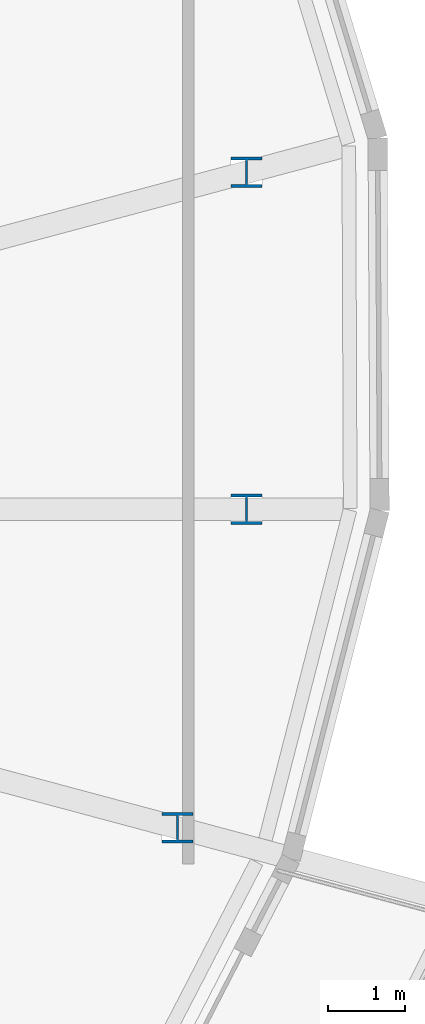
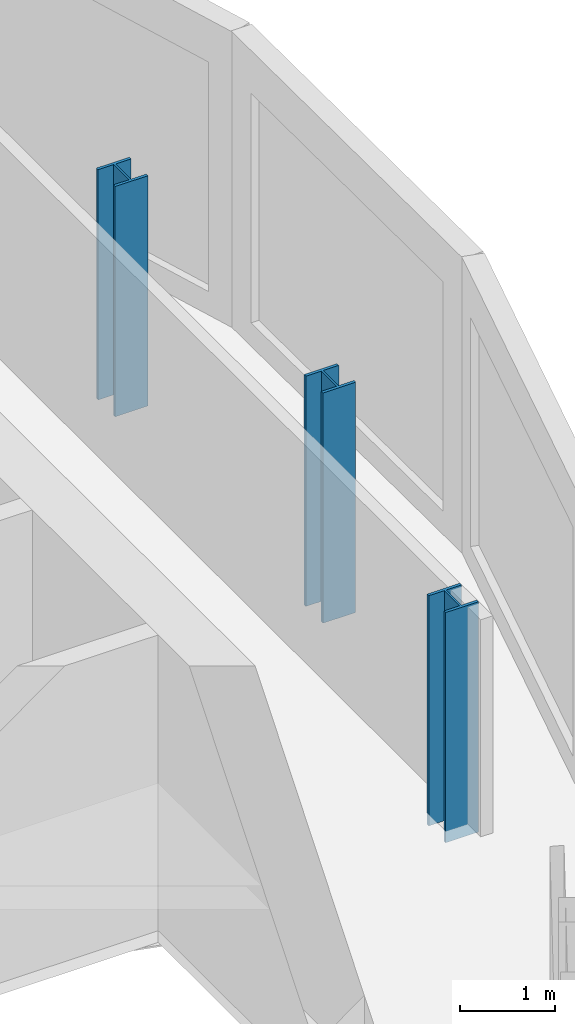
# One storey, part 2 of 35: 3 columns.
"""IFC4 building model written with IfcOpenShell, lengths in metres."""

from ifc_helpers import new_model, si_unit, direction, frame, origin, origin_2d, place, context, subcontext, project, spatial, i_section, extrude, material, material_profile, profile_set, type_object, element, save


model = new_model("IFC4")

# Units and contexts
model_context = context("Model", 3, precision=1e-05, world=origin(), true_north=direction((0.0, 1.0)))
body_context = subcontext(model_context, "Body", "Model", "MODEL_VIEW")
ifc_project = project(units=[si_unit("LENGTHUNIT", "METRE"), si_unit("AREAUNIT", "SQUARE_METRE"), si_unit("VOLUMEUNIT", "CUBIC_METRE"), si_unit("PLANEANGLEUNIT", "RADIAN"), si_unit("MASSUNIT", "GRAM", prefix="KILO")], contexts=[model_context])

# Site, building, storey
site_placement = place(None, origin())
site = spatial("IfcSite", under=ifc_project, at=site_placement, CompositionType="ELEMENT")
building_placement = place(site_placement, origin())
building = spatial("IfcBuilding", under=site, at=building_placement, Name="Rimbun Link Towers", CompositionType="ELEMENT")
storey_placement = place(building_placement, frame((0.0, 0.0, 181.699951171875)))
storey = spatial("IfcBuildingStorey", under=building, at=storey_placement, Name="L44", CompositionType="ELEMENT", Elevation=181.699951171875)

# Columns
ifc_material = material(Name="Steel S355J2", Category="steel")
ifc_material_profile = material_profile(ifc_material, i_section(OverallWidth=0.39892578125, OverallDepth=0.3935546875, WebThickness=0.022705078125, FlangeThickness=0.03662109375, at=origin_2d()), Name="UC 356x406x287")
ifc_profile_set = profile_set([ifc_material_profile], Name="Steel S355J2")
column_type = type_object("IfcColumnType", Name="UC 356x406x287", PredefinedType="COLUMN", material=ifc_profile_set)
for number, where, z_axis, x_axis, name in (
    (1, (47.183837890625, -4.135498046875, -0.14990234375), (0.0, 0.0, 1.0), (1.0, 0.0, 0.0), "Crease post T2 L44 20"),
    (2, (48.07861328125, 0.0, -0.14990234375), (0.0, 0.0, 1.0), (1.0, 0.0, 0.0), "Crease post T2 L44 21"),
    (3, (48.078857421875, 4.375244140625, -0.14990234375), (0.0, 0.0, 1.0), (1.0, 0.0, 0.0), "Crease post T2 L44 22"),
):
    element("IfcColumn", number, at=place(storey_placement, frame(where, z_axis=z_axis, x_axis=x_axis)), inside=storey, type_object=column_type, Name=name, PredefinedType="COLUMN", context=body_context, shape_type="SweptSolid", body=[
        extrude(i_section(OverallWidth=0.39892578125, OverallDepth=0.3935546875, WebThickness=0.022705078125, FlangeThickness=0.03662109375, at=origin_2d()), origin(), (0.0, 0.0, 1.0), 2.959228515625),
    ])

save(model, "model.ifc")
